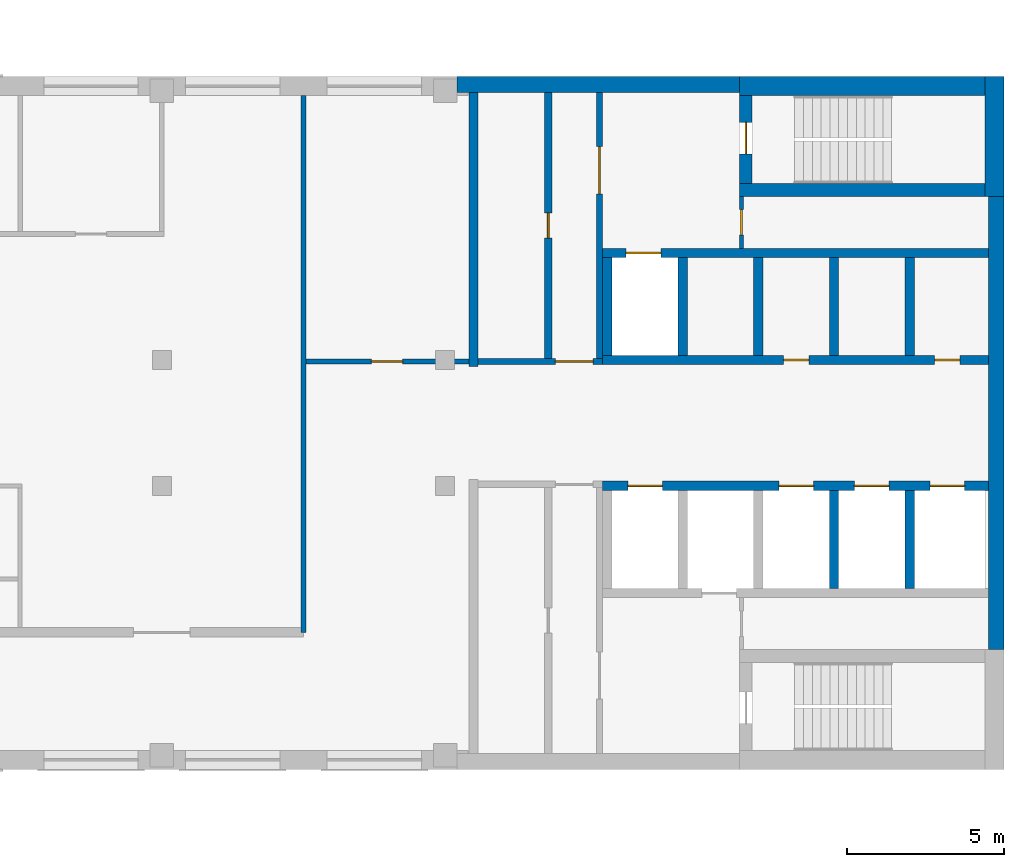
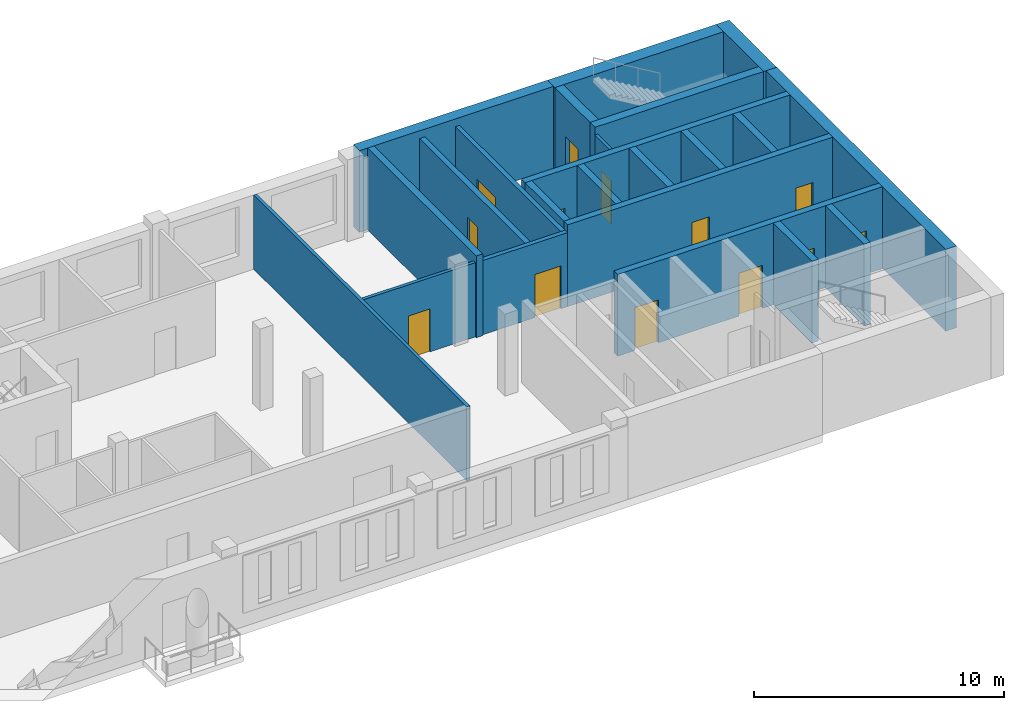
# One storey, part 6 of 10: 23 walls, 13 doors, 13 openings.
"""IFC4 building model written with IfcOpenShell, lengths in metres."""

from ifc_helpers import new_model, si_unit, direction, frame, frame_2d, origin, place, context, subcontext, project, spatial, rectangle, extrude, material, layer, layer_set, type_object, element, fill, save


model = new_model("IFC4")

# Units and contexts
model_context = context("Model", 3, precision=1e-05, world=origin(), true_north=direction((0.0, 1.0)))
body_context = subcontext(model_context, "Body", "Model", "MODEL_VIEW")
ifc_project = project(units=[si_unit("LENGTHUNIT", "METRE"), si_unit("AREAUNIT", "SQUARE_METRE"), si_unit("VOLUMEUNIT", "CUBIC_METRE"), si_unit("PLANEANGLEUNIT", "RADIAN"), si_unit("MASSUNIT", "GRAM", prefix="KILO")], contexts=[model_context])

# Site, building, storey
site_placement = place(None, origin())
site = spatial("IfcSite", under=ifc_project, at=site_placement, CompositionType="ELEMENT")
building_placement = place(site_placement, origin())
building = spatial("IfcBuilding", under=site, at=building_placement, Name="Skarvind Civic Tower", CompositionType="ELEMENT")
storey_placement = place(building_placement, frame((0.0, 0.0, 204.0)))
storey = spatial("IfcBuildingStorey", under=building, at=storey_placement, Name="L48", CompositionType="ELEMENT", Elevation=204.0)

# Wall, opening, door
ifc_material_1 = material(Name="Fire-rated masonry partition", Category="masonry")
ifc_layer_1 = layer(ifc_material_1, 0.199951171875)
ifc_layer_set_1 = layer_set([ifc_layer_1], Name="Core enclosure wall 200")
wall_type_1 = type_object("IfcWallType", Name="Core enclosure wall 200", PredefinedType="PARTITIONING", material=ifc_layer_set_1)
wall_1_placement = place(storey_placement, frame((91.300048828125, 129.949951171875, 0.0), z_axis=(0.0, 0.0, 1.0), x_axis=(1.0, 0.0, 0.0)))
wall_1 = element("IfcWall", 1, at=wall_1_placement, inside=storey, type_object=wall_type_1, Name="Core wall C1", PredefinedType="PARTITIONING", context=body_context, shape_type="SweptSolid", body=[
    extrude(rectangle(XDim=3.949951171875, YDim=0.199951171875, at=frame_2d((1.97509765625, 0.0))), origin(), (0.0, 0.0, 1.0), 3.625),
])
opening_1_placement = place(wall_1_placement, frame((2.449951171875, 0.0, 0.0)))
opening_1 = element("IfcOpeningElement", 2, at=opening_1_placement, cuts=wall_1, Name="Opening D-L48-C1-12", PredefinedType="OPENING", context=body_context, shape_type="SweptSolid", body=[
    extrude(rectangle(XDim=1.199951171875, YDim=2.10009765625, at=frame_2d((0.60009765625, 1.050048828125))), frame((0.0, 0.10986328125, 0.0), z_axis=(0.0, -1.0, 0.0), x_axis=(1.0, 0.0, 0.0)), (0.0, 0.0, 1.0), 0.219970703125),
])
ifc_material_2 = material(Name="Fire-rated steel door", Category="steel")
door_type_1 = type_object("IfcDoorType", Name="Core lobby door 1200", OperationType="NOTDEFINED", PredefinedType="DOOR", material=ifc_material_2)
door_1_placement = place(opening_1_placement, origin())
door_1 = element("IfcDoor", 3, at=door_1_placement, inside=storey, type_object=door_type_1, Name="Fire door", OperationType="DOUBLE_DOOR_SINGLE_SWING", OverallHeight=2.10009765625, OverallWidth=1.199951171875, PredefinedType="DOOR", context=body_context, shape_type="SweptSolid", body=[
    extrude(rectangle(XDim=1.199951171875, YDim=2.10009765625, at=frame_2d((0.60009765625, 1.050048828125))), frame((0.0, 0.02490234375, 0.0), z_axis=(0.0, -1.0, 0.0), x_axis=(1.0, 0.0, 0.0)), (0.0, 0.0, 1.0), 0.050048828125),
])
fill(opening_1, door_1)

wall_2_placement = place(storey_placement, frame((95.14990234375, 130.050048828125, 0.0), z_axis=(0.0, 0.0, 1.0), x_axis=(0.0, 1.0, 0.0)))
wall_2 = element("IfcWall", 4, at=wall_2_placement, inside=storey, type_object=wall_type_1, Name="Core wall C1", PredefinedType="PARTITIONING", context=body_context, shape_type="SweptSolid", body=[
    extrude(rectangle(XDim=8.449951171875, YDim=0.199951171875, at=frame_2d((4.22509765625, 0.0))), origin(), (0.0, 0.0, 1.0), 3.625),
])
opening_2_placement = place(wall_2_placement, frame((5.22509765625, 0.0, 0.0)))
opening_2 = element("IfcOpeningElement", 5, at=opening_2_placement, cuts=wall_2, Name="Opening D-L48-C1-13", PredefinedType="OPENING", context=body_context, shape_type="SweptSolid", body=[
    extrude(rectangle(XDim=1.5, YDim=2.10009765625, at=frame_2d((0.75, 1.050048828125))), frame((0.0, 0.10986328125, 0.0), z_axis=(0.0, -1.0, 0.0), x_axis=(1.0, 0.0, 0.0)), (0.0, 0.0, 1.0), 0.219970703125),
])
door_type_2 = type_object("IfcDoorType", Name="Fire door 1500", OperationType="NOTDEFINED", PredefinedType="DOOR", material=ifc_material_2)
door_2_placement = place(opening_2_placement, origin())
door_2 = element("IfcDoor", 6, at=door_2_placement, inside=storey, type_object=door_type_2, Name="Fire door", OperationType="DOUBLE_DOOR_SINGLE_SWING", OverallHeight=2.10009765625, OverallWidth=1.5, PredefinedType="DOOR", context=body_context, shape_type="SweptSolid", body=[
    extrude(rectangle(XDim=1.5, YDim=2.10009765625, at=frame_2d((0.75, 1.050048828125))), frame((0.0, 0.02490234375, 0.0), z_axis=(0.0, -1.0, 0.0), x_axis=(1.0, 0.0, 0.0)), (0.0, 0.0, 1.0), 0.050048828125),
])
fill(opening_2, door_2)

# Wall, openings, doors
ifc_material_3 = material(Name="Concrete C60", Category="concrete")
ifc_layer_2 = layer(ifc_material_3, 0.300048828125)
ifc_layer_set_2 = layer_set([ifc_layer_2], Name="Core wall 300 C60")
wall_type_2 = type_object("IfcWallType", Name="Core wall 300 C60", PredefinedType="SHEAR", material=ifc_layer_set_2)
wall_3_placement = place(storey_placement, frame((107.5, 130.0, 0.0), z_axis=(0.0, 0.0, 1.0), x_axis=(-1.0, 0.0, 0.0)))
wall_3 = element("IfcWall", 7, at=wall_3_placement, inside=storey, type_object=wall_type_2, Name="Core wall C1 south lift row front L48", PredefinedType="SHEAR", context=body_context, shape_type="SweptSolid", body=[
    extrude(rectangle(XDim=12.25, YDim=0.300048828125, at=frame_2d((6.125, 0.0))), origin(), (0.0, 0.0, 1.0), 4.0),
])
opening_3_placement = place(wall_3_placement, frame((0.89990234375, 0.0, 0.0)))
opening_3 = element("IfcOpeningElement", 8, at=opening_3_placement, cuts=wall_3, Name="Opening D-L48-C1-05", PredefinedType="OPENING", context=body_context, shape_type="SweptSolid", body=[
    extrude(rectangle(XDim=0.800048828125, YDim=2.10009765625, at=frame_2d((0.39990234375, 1.050048828125))), frame((0.0, 0.159912109375, 0.0), z_axis=(0.0, -1.0, 0.0), x_axis=(1.0, 0.0, 0.0)), (0.0, 0.0, 1.0), 0.320068359375),
])
opening_4_placement = place(wall_3_placement, frame((5.699951171875, 0.0, 0.0)))
opening_4 = element("IfcOpeningElement", 9, at=opening_4_placement, cuts=wall_3, Name="Opening D-L48-C1-06", PredefinedType="OPENING", context=body_context, shape_type="SweptSolid", body=[
    extrude(rectangle(XDim=0.800048828125, YDim=2.10009765625, at=frame_2d((0.39990234375, 1.050048828125))), frame((0.0, 0.159912109375, 0.0), z_axis=(0.0, -1.0, 0.0), x_axis=(1.0, 0.0, 0.0)), (0.0, 0.0, 1.0), 0.320068359375),
])
door_type_3 = type_object("IfcDoorType", Name="Core riser door 800", OperationType="NOTDEFINED", PredefinedType="DOOR", material=ifc_material_2)
door_3_placement = place(opening_3_placement, origin())
door_3 = element("IfcDoor", 10, at=door_3_placement, inside=storey, type_object=door_type_3, Name="Riser door", OperationType="SINGLE_SWING_LEFT", OverallHeight=2.10009765625, OverallWidth=0.800048828125, PredefinedType="DOOR", context=body_context, shape_type="SweptSolid", body=[
    extrude(rectangle(XDim=0.800048828125, YDim=2.10009765625, at=frame_2d((0.39990234375, 1.050048828125))), frame((0.0, 0.02490234375, 0.0), z_axis=(0.0, -1.0, 0.0), x_axis=(1.0, 0.0, 0.0)), (0.0, 0.0, 1.0), 0.050048828125),
])
fill(opening_3, door_3)
door_4_placement = place(opening_4_placement, origin())
door_4 = element("IfcDoor", 11, at=door_4_placement, inside=storey, type_object=door_type_3, Name="Riser door", OperationType="SINGLE_SWING_RIGHT", OverallHeight=2.10009765625, OverallWidth=0.800048828125, PredefinedType="DOOR", context=body_context, shape_type="SweptSolid", body=[
    extrude(rectangle(XDim=0.800048828125, YDim=2.10009765625, at=frame_2d((0.39990234375, 1.050048828125))), frame((0.0, 0.02490234375, 0.0), z_axis=(0.0, -1.0, 0.0), x_axis=(1.0, 0.0, 0.0)), (0.0, 0.0, 1.0), 0.050048828125),
])
fill(opening_4, door_4)

# Wall, opening, door
wall_4_placement = place(storey_placement, frame((107.5, 133.39990234375, 0.0), z_axis=(0.0, 0.0, 1.0), x_axis=(-1.0, 0.0, 0.0)))
wall_4 = element("IfcWall", 12, at=wall_4_placement, inside=storey, type_object=wall_type_2, Name="Core wall C1 south lift row back L48", PredefinedType="SHEAR", context=body_context, shape_type="SweptSolid", body=[
    extrude(rectangle(XDim=12.25, YDim=0.300048828125, at=frame_2d((6.125, 0.0))), origin(), (0.0, 0.0, 1.0), 4.0),
])
opening_5_placement = place(wall_4_placement, frame((10.39990234375, 0.0, 0.0)))
opening_5 = element("IfcOpeningElement", 13, at=opening_5_placement, cuts=wall_4, Name="Opening LD50110", PredefinedType="OPENING", context=body_context, shape_type="SweptSolid", body=[
    extrude(rectangle(XDim=1.10009765625, YDim=2.10009765625, at=frame_2d((0.550048828125, 1.050048828125))), frame((0.0, 0.159912109375, 0.0), z_axis=(0.0, -1.0, 0.0), x_axis=(1.0, 0.0, 0.0)), (0.0, 0.0, 1.0), 0.320068359375),
])
ifc_material_4 = material(Name="Stainless steel landing door", Category="steel")
door_type_4 = type_object("IfcDoorType", Name="Lift landing door 1100", OperationType="DOUBLE_DOOR_SLIDING", PredefinedType="DOOR", material=ifc_material_4)
door_5_placement = place(opening_5_placement, origin())
door_5 = element("IfcDoor", 14, at=door_5_placement, inside=storey, type_object=door_type_4, Name="Lift landing door", OperationType="DOUBLE_DOOR_SLIDING", OverallHeight=2.10009765625, OverallWidth=1.10009765625, PredefinedType="DOOR", context=body_context, shape_type="SweptSolid", body=[
    extrude(rectangle(XDim=1.10009765625, YDim=2.10009765625, at=frame_2d((0.550048828125, 1.050048828125))), frame((0.0, 0.02490234375, 0.0), z_axis=(0.0, -1.0, 0.0), x_axis=(1.0, 0.0, 0.0)), (0.0, 0.0, 1.0), 0.050048828125),
])
fill(opening_5, door_5)

# Walls
for number, where, z_axis, x_axis, name in (
    (15, (105.0, 133.25, 0.0), (0.0, 0.0, 1.0), (0.0, -1.0, 0.0), "Core wall C1 south lift row division 1 L48"),
    (16, (102.60009765625, 133.25, 0.0), (0.0, 0.0, 1.0), (0.0, -1.0, 0.0), "Core wall C1 south lift row division 2 L48"),
    (17, (100.199951171875, 133.25, 0.0), (0.0, 0.0, 1.0), (0.0, -1.0, 0.0), "Core wall C1 south lift row division 3 L48"),
    (18, (97.800048828125, 133.25, 0.0), (0.0, 0.0, 1.0), (0.0, -1.0, 0.0), "Core wall C1 south lift row division 4 L48"),
    (19, (95.39990234375, 133.25, 0.0), (0.0, 0.0, 1.0), (0.0, -1.0, 0.0), "Core wall C1 south lift row division 5 L48"),
):
    element("IfcWall", number, at=place(storey_placement, frame(where, z_axis=z_axis, x_axis=x_axis)), inside=storey, type_object=wall_type_2, Name=name, PredefinedType="SHEAR", context=body_context, shape_type="SweptSolid", body=[
        extrude(rectangle(XDim=3.10009765625, YDim=0.300048828125, at=frame_2d((1.550048828125, 0.0))), origin(), (0.0, 0.0, 1.0), 4.0),
    ])

# Wall, openings, doors
wall_5_placement = place(storey_placement, frame((107.5, 126.0, 0.0), z_axis=(0.0, 0.0, 1.0), x_axis=(-1.0, 0.0, 0.0)))
wall_5 = element("IfcWall", 20, at=wall_5_placement, inside=storey, type_object=wall_type_2, Name="Core wall C1 north lift row front L48", PredefinedType="SHEAR", context=body_context, shape_type="SweptSolid", body=[
    extrude(rectangle(XDim=12.25, YDim=0.300048828125, at=frame_2d((6.125, 0.0))), origin(), (0.0, 0.0, 1.0), 4.0),
])
opening_6_placement = place(wall_5_placement, frame((0.75, 0.0, 0.0)))
opening_6 = element("IfcOpeningElement", 21, at=opening_6_placement, cuts=wall_5, Name="Opening LD50101", PredefinedType="OPENING", context=body_context, shape_type="SweptSolid", body=[
    extrude(rectangle(XDim=1.10009765625, YDim=2.10009765625, at=frame_2d((0.550048828125, 1.050048828125))), frame((0.0, 0.159912109375, 0.0), z_axis=(0.0, -1.0, 0.0), x_axis=(1.0, 0.0, 0.0)), (0.0, 0.0, 1.0), 0.320068359375),
])
opening_7_placement = place(wall_5_placement, frame((3.14990234375, 0.0, 0.0)))
opening_7 = element("IfcOpeningElement", 22, at=opening_7_placement, cuts=wall_5, Name="Opening LD50102", PredefinedType="OPENING", context=body_context, shape_type="SweptSolid", body=[
    extrude(rectangle(XDim=1.10009765625, YDim=2.10009765625, at=frame_2d((0.550048828125, 1.050048828125))), frame((0.0, 0.159912109375, 0.0), z_axis=(0.0, -1.0, 0.0), x_axis=(1.0, 0.0, 0.0)), (0.0, 0.0, 1.0), 0.320068359375),
])
opening_8_placement = place(wall_5_placement, frame((5.550048828125, 0.0, 0.0)))
opening_8 = element("IfcOpeningElement", 23, at=opening_8_placement, cuts=wall_5, Name="Opening LD50103", PredefinedType="OPENING", context=body_context, shape_type="SweptSolid", body=[
    extrude(rectangle(XDim=1.10009765625, YDim=2.10009765625, at=frame_2d((0.550048828125, 1.050048828125))), frame((0.0, 0.159912109375, 0.0), z_axis=(0.0, -1.0, 0.0), x_axis=(1.0, 0.0, 0.0)), (0.0, 0.0, 1.0), 0.320068359375),
])
opening_9_placement = place(wall_5_placement, frame((10.35009765625, 0.0, 0.0)))
opening_9 = element("IfcOpeningElement", 24, at=opening_9_placement, cuts=wall_5, Name="Opening LD50105", PredefinedType="OPENING", context=body_context, shape_type="SweptSolid", body=[
    extrude(rectangle(XDim=1.10009765625, YDim=2.10009765625, at=frame_2d((0.550048828125, 1.050048828125))), frame((0.0, 0.159912109375, 0.0), z_axis=(0.0, -1.0, 0.0), x_axis=(1.0, 0.0, 0.0)), (0.0, 0.0, 1.0), 0.320068359375),
])
door_6_placement = place(opening_6_placement, origin())
door_6 = element("IfcDoor", 25, at=door_6_placement, inside=storey, type_object=door_type_4, Name="Lift landing door", OperationType="DOUBLE_DOOR_SLIDING", OverallHeight=2.10009765625, OverallWidth=1.10009765625, PredefinedType="DOOR", context=body_context, shape_type="SweptSolid", body=[
    extrude(rectangle(XDim=1.10009765625, YDim=2.10009765625, at=frame_2d((0.550048828125, 1.050048828125))), frame((0.0, 0.02490234375, 0.0), z_axis=(0.0, -1.0, 0.0), x_axis=(1.0, 0.0, 0.0)), (0.0, 0.0, 1.0), 0.050048828125),
])
fill(opening_6, door_6)
door_7_placement = place(opening_7_placement, origin())
door_7 = element("IfcDoor", 26, at=door_7_placement, inside=storey, type_object=door_type_4, Name="Lift landing door", OperationType="DOUBLE_DOOR_SLIDING", OverallHeight=2.10009765625, OverallWidth=1.10009765625, PredefinedType="DOOR", context=body_context, shape_type="SweptSolid", body=[
    extrude(rectangle(XDim=1.10009765625, YDim=2.10009765625, at=frame_2d((0.550048828125, 1.050048828125))), frame((0.0, 0.02490234375, 0.0), z_axis=(0.0, -1.0, 0.0), x_axis=(1.0, 0.0, 0.0)), (0.0, 0.0, 1.0), 0.050048828125),
])
fill(opening_7, door_7)
door_8_placement = place(opening_8_placement, origin())
door_8 = element("IfcDoor", 27, at=door_8_placement, inside=storey, type_object=door_type_4, Name="Lift landing door", OperationType="DOUBLE_DOOR_SLIDING", OverallHeight=2.10009765625, OverallWidth=1.10009765625, PredefinedType="DOOR", context=body_context, shape_type="SweptSolid", body=[
    extrude(rectangle(XDim=1.10009765625, YDim=2.10009765625, at=frame_2d((0.550048828125, 1.050048828125))), frame((0.0, 0.02490234375, 0.0), z_axis=(0.0, -1.0, 0.0), x_axis=(1.0, 0.0, 0.0)), (0.0, 0.0, 1.0), 0.050048828125),
])
fill(opening_8, door_8)
door_9_placement = place(opening_9_placement, origin())
door_9 = element("IfcDoor", 28, at=door_9_placement, inside=storey, type_object=door_type_4, Name="Lift landing door", OperationType="DOUBLE_DOOR_SLIDING", OverallHeight=2.10009765625, OverallWidth=1.10009765625, PredefinedType="DOOR", context=body_context, shape_type="SweptSolid", body=[
    extrude(rectangle(XDim=1.10009765625, YDim=2.10009765625, at=frame_2d((0.550048828125, 1.050048828125))), frame((0.0, 0.02490234375, 0.0), z_axis=(0.0, -1.0, 0.0), x_axis=(1.0, 0.0, 0.0)), (0.0, 0.0, 1.0), 0.050048828125),
])
fill(opening_9, door_9)

# Walls
for number, where, z_axis, x_axis, name in (
    (29, (105.0, 125.85009765625, 0.0), (0.0, 0.0, 1.0), (0.0, -1.0, 0.0), "Core wall C1 north lift row division 1 L48"),
    (30, (102.60009765625, 125.85009765625, 0.0), (0.0, 0.0, 1.0), (0.0, -1.0, 0.0), "Core wall C1 north lift row division 2 L48"),
):
    element("IfcWall", number, at=place(storey_placement, frame(where, z_axis=z_axis, x_axis=x_axis)), inside=storey, type_object=wall_type_2, Name=name, PredefinedType="SHEAR", context=body_context, shape_type="SweptSolid", body=[
        extrude(rectangle(XDim=3.10009765625, YDim=0.300048828125, at=frame_2d((1.550048828125, 0.0))), origin(), (0.0, 0.0, 1.0), 4.0),
    ])
wall_6_placement = place(storey_placement, frame((91.14990234375, 138.5, 0.0), z_axis=(0.0, 0.0, 1.0), x_axis=(0.0, -1.0, 0.0)))
element("IfcWall", 31, at=wall_6_placement, inside=storey, type_object=wall_type_2, Name="Core wall C1 south inner face L48", PredefinedType="SHEAR", context=body_context, shape_type="SweptSolid", body=[
    extrude(rectangle(XDim=8.699951171875, YDim=0.300048828125, at=frame_2d((4.35009765625, 0.0))), origin(), (0.0, 0.0, 1.0), 4.0),
])
ifc_layer_3 = layer(ifc_material_3, 0.39990234375)
ifc_layer_set_3 = layer_set([ifc_layer_3], Name="Core wall 400 C60")
wall_type_3 = type_object("IfcWallType", Name="Core wall 400 C60", PredefinedType="SHEAR", material=ifc_layer_set_3)
wall_7_placement = place(storey_placement, frame((107.39990234375, 135.39990234375, 0.0), z_axis=(0.0, 0.0, 1.0), x_axis=(-1.0, 0.0, 0.0)))
element("IfcWall", 32, at=wall_7_placement, inside=storey, type_object=wall_type_3, Name="Core wall C1 south stair inner L48", PredefinedType="SHEAR", context=body_context, shape_type="SweptSolid", body=[
    extrude(rectangle(XDim=7.7998046875, YDim=0.39990234375, at=frame_2d((3.89990234375, 0.0))), origin(), (0.0, 0.0, 1.0), 4.0),
])

# Wall, opening, door
wall_8_placement = place(storey_placement, frame((99.800048828125, 138.39990234375, 0.0), z_axis=(0.0, 0.0, 1.0), x_axis=(0.0, -1.0, 0.0)))
wall_8 = element("IfcWall", 33, at=wall_8_placement, inside=storey, type_object=wall_type_3, Name="Core wall C1 south stair end L48", PredefinedType="SHEAR", context=body_context, shape_type="SweptSolid", body=[
    extrude(rectangle(XDim=2.7998046875, YDim=0.39990234375, at=frame_2d((1.39990234375, 0.0))), origin(), (0.0, 0.0, 1.0), 4.0),
])
opening_10_placement = place(wall_8_placement, frame((0.85009765625, 0.0, 0.0)))
opening_10 = element("IfcOpeningElement", 34, at=opening_10_placement, cuts=wall_8, Name="Opening D-L48-C1-14", PredefinedType="OPENING", context=body_context, shape_type="SweptSolid", body=[
    extrude(rectangle(XDim=1.0, YDim=2.10009765625, at=frame_2d((0.5, 1.050048828125))), frame((0.0, 0.2099609375, 0.0), z_axis=(0.0, -1.0, 0.0), x_axis=(1.0, 0.0, 0.0)), (0.0, 0.0, 1.0), 0.419921875),
])
door_type_5 = type_object("IfcDoorType", Name="Fire door 1000", OperationType="NOTDEFINED", PredefinedType="DOOR", material=ifc_material_2)
door_10_placement = place(opening_10_placement, origin())
door_10 = element("IfcDoor", 35, at=door_10_placement, inside=storey, type_object=door_type_5, Name="Fire door", OperationType="SINGLE_SWING_RIGHT", OverallHeight=2.10009765625, OverallWidth=1.0, PredefinedType="DOOR", context=body_context, shape_type="SweptSolid", body=[
    extrude(rectangle(XDim=1.0, YDim=2.10009765625, at=frame_2d((0.5, 1.050048828125))), frame((0.0, 0.02490234375, 0.0), z_axis=(0.0, -1.0, 0.0), x_axis=(1.0, 0.0, 0.0)), (0.0, 0.0, 1.0), 0.050048828125),
])
fill(opening_10, door_10)

# Walls
ifc_layer_4 = layer(ifc_material_3, 0.5)
ifc_layer_set_4 = layer_set([ifc_layer_4], Name="Core wall 500 C60")
wall_type_4 = type_object("IfcWallType", Name="Core wall 500 C60", PredefinedType="SHEAR", material=ifc_layer_set_4)
wall_9_placement = place(storey_placement, frame((107.75, 135.199951171875, 0.0), z_axis=(0.0, 0.0, 1.0), x_axis=(0.0, -1.0, 0.0)))
element("IfcWall", 36, at=wall_9_placement, inside=storey, type_object=wall_type_4, Name="Core wall C1 tip between the stairs L48", PredefinedType="SHEAR", context=body_context, shape_type="SweptSolid", body=[
    extrude(rectangle(XDim=14.39990234375, YDim=0.5, at=frame_2d((7.199951171875, 0.0))), origin(), (0.0, 0.0, 1.0), 4.0),
])
wall_10_placement = place(storey_placement, frame((99.60009765625, 138.75, 0.0), z_axis=(0.0, 0.0, 1.0), x_axis=(-1.0, 0.0, 0.0)))
element("IfcWall", 37, at=wall_10_placement, inside=storey, type_object=wall_type_4, Name="Core wall C1 south side L48", PredefinedType="SHEAR", context=body_context, shape_type="SweptSolid", body=[
    extrude(rectangle(XDim=8.97509765625, YDim=0.5, at=frame_2d((4.487548828125, 0.0))), origin(), (0.0, 0.0, 1.0), 4.0),
])
ifc_layer_5 = layer(ifc_material_3, 0.60009765625)
ifc_layer_set_5 = layer_set([ifc_layer_5], Name="Core wall 600 C60")
wall_type_5 = type_object("IfcWallType", Name="Core wall 600 C60", PredefinedType="SHEAR", material=ifc_layer_set_5)
wall_11_placement = place(storey_placement, frame((107.699951171875, 139.0, 0.0), z_axis=(0.0, 0.0, 1.0), x_axis=(0.0, -1.0, 0.0)))
element("IfcWall", 38, at=wall_11_placement, inside=storey, type_object=wall_type_5, Name="Core wall C1 tip at the south stair L48", PredefinedType="SHEAR", context=body_context, shape_type="SweptSolid", body=[
    extrude(rectangle(XDim=3.800048828125, YDim=0.60009765625, at=frame_2d((1.89990234375, 0.0))), origin(), (0.0, 0.0, 1.0), 4.0),
])
wall_12_placement = place(storey_placement, frame((107.39990234375, 138.699951171875, 0.0), z_axis=(0.0, 0.0, 1.0), x_axis=(-1.0, 0.0, 0.0)))
element("IfcWall", 39, at=wall_12_placement, inside=storey, type_object=wall_type_5, Name="Core wall C1 south side at the stair L48", PredefinedType="SHEAR", context=body_context, shape_type="SweptSolid", body=[
    extrude(rectangle(XDim=7.7998046875, YDim=0.60009765625, at=frame_2d((3.89990234375, 0.0))), origin(), (0.0, 0.0, 1.0), 4.0),
])
ifc_material_5 = material(Name="Plasterboard partition on steel studs", Category="steel")
ifc_layer_6 = layer(ifc_material_5, 0.14990234375)
ifc_layer_set_6 = layer_set([ifc_layer_6], Name="PARTITION 150")
wall_type_6 = type_object("IfcWallType", Name="PARTITION 150", PredefinedType="PARTITIONING", material=ifc_layer_set_6)
wall_13_placement = place(storey_placement, frame((85.75, 121.35009765625, 0.0), z_axis=(0.0, 0.0, 1.0), x_axis=(0.0, 1.0, 0.0)))
element("IfcWall", 40, at=wall_13_placement, inside=storey, type_object=wall_type_6, Name="Partition 48.037", PredefinedType="PARTITIONING", context=body_context, shape_type="SweptSolid", body=[
    extrude(rectangle(XDim=17.0498046875, YDim=0.14990234375, at=frame_2d((8.52490234375, 0.0))), origin(), (0.0, 0.0, 1.0), 3.625),
])

# Wall, opening, door
wall_14_placement = place(storey_placement, frame((85.824951171875, 129.949951171875, 0.0), z_axis=(0.0, 0.0, 1.0), x_axis=(1.0, 0.0, 0.0)))
wall_14 = element("IfcWall", 41, at=wall_14_placement, inside=storey, type_object=wall_type_6, Name="Partition 48.038", PredefinedType="PARTITIONING", context=body_context, shape_type="SweptSolid", body=[
    extrude(rectangle(XDim=5.175048828125, YDim=0.14990234375, at=frame_2d((2.58740234375, 0.0))), origin(), (0.0, 0.0, 1.0), 3.625),
])
opening_11_placement = place(wall_14_placement, frame((2.077392578125, 0.0, 0.0)))
opening_11 = element("IfcOpeningElement", 42, at=opening_11_placement, cuts=wall_14, Name="Opening L48-D001", PredefinedType="OPENING", context=body_context, shape_type="SweptSolid", body=[
    extrude(rectangle(XDim=1.0, YDim=2.10009765625, at=frame_2d((0.5, 1.050048828125))), frame((0.0, 0.0849609375, 0.0), z_axis=(0.0, -1.0, 0.0), x_axis=(1.0, 0.0, 0.0)), (0.0, 0.0, 1.0), 0.169921875),
])
ifc_material_6 = material(Name="Timber door leaf", Category="wood")
door_type_6 = type_object("IfcDoorType", Name="D1 1000x2100", OperationType="NOTDEFINED", PredefinedType="DOOR", material=ifc_material_6)
door_11_placement = place(opening_11_placement, origin())
door_11 = element("IfcDoor", 43, at=door_11_placement, inside=storey, type_object=door_type_6, Name="Door L48-D001", OperationType="SINGLE_SWING_LEFT", OverallHeight=2.10009765625, OverallWidth=1.0, PredefinedType="DOOR", context=body_context, shape_type="SweptSolid", body=[
    extrude(rectangle(XDim=1.0, YDim=2.10009765625, at=frame_2d((0.5, 1.050048828125))), frame((0.0, 0.02490234375, 0.0), z_axis=(0.0, -1.0, 0.0), x_axis=(1.0, 0.0, 0.0)), (0.0, 0.0, 1.0), 0.050048828125),
])
fill(opening_11, door_11)

ifc_layer_7 = layer(ifc_material_1, 0.125)
ifc_layer_set_7 = layer_set([ifc_layer_7], Name="Riser wall 125")
wall_type_7 = type_object("IfcWallType", Name="Riser wall 125", PredefinedType="PARTITIONING", material=ifc_layer_set_7)
wall_15_placement = place(storey_placement, frame((99.66259765625, 133.550048828125, 0.0), z_axis=(0.0, 0.0, 1.0), x_axis=(0.0, 1.0, 0.0)))
wall_15 = element("IfcWall", 44, at=wall_15_placement, inside=storey, type_object=wall_type_7, Name="Core wall C1", PredefinedType="PARTITIONING", context=body_context, shape_type="SweptSolid", body=[
    extrude(rectangle(XDim=1.64990234375, YDim=0.125, at=frame_2d((0.824951171875, 0.0))), origin(), (0.0, 0.0, 1.0), 3.625),
])
opening_12_placement = place(wall_15_placement, frame((0.425048828125, 0.0, 0.0)))
opening_12 = element("IfcOpeningElement", 45, at=opening_12_placement, cuts=wall_15, Name="Opening D-L48-C1-15", PredefinedType="OPENING", context=body_context, shape_type="SweptSolid", body=[
    extrude(rectangle(XDim=0.800048828125, YDim=2.10009765625, at=frame_2d((0.39990234375, 1.050048828125))), frame((0.0, 0.072509765625, 0.0), z_axis=(0.0, -1.0, 0.0), x_axis=(1.0, 0.0, 0.0)), (0.0, 0.0, 1.0), 0.14501953125),
])
door_12_placement = place(opening_12_placement, origin())
door_12 = element("IfcDoor", 46, at=door_12_placement, inside=storey, type_object=door_type_3, Name="Riser door", OperationType="SINGLE_SWING_LEFT", OverallHeight=2.10009765625, OverallWidth=0.800048828125, PredefinedType="DOOR", context=body_context, shape_type="SweptSolid", body=[
    extrude(rectangle(XDim=0.800048828125, YDim=2.10009765625, at=frame_2d((0.39990234375, 1.050048828125))), frame((0.0, 0.02490234375, 0.0), z_axis=(0.0, -1.0, 0.0), x_axis=(1.0, 0.0, 0.0)), (0.0, 0.0, 1.0), 0.050048828125),
])
fill(opening_12, door_12)

ifc_layer_8 = layer(ifc_material_1, 0.25)
ifc_layer_set_8 = layer_set([ifc_layer_8], Name="Service block wall 250")
wall_type_8 = type_object("IfcWallType", Name="Service block wall 250", PredefinedType="PARTITIONING", material=ifc_layer_set_8)
wall_16_placement = place(storey_placement, frame((93.52490234375, 130.050048828125, 0.0), z_axis=(0.0, 0.0, 1.0), x_axis=(0.0, 1.0, 0.0)))
wall_16 = element("IfcWall", 47, at=wall_16_placement, inside=storey, type_object=wall_type_8, Name="Core wall C1", PredefinedType="PARTITIONING", context=body_context, shape_type="SweptSolid", body=[
    extrude(rectangle(XDim=8.449951171875, YDim=0.25, at=frame_2d((4.22509765625, 0.0))), origin(), (0.0, 0.0, 1.0), 3.625),
])
opening_13_placement = place(wall_16_placement, frame((3.824951171875, 0.0, 0.0)))
opening_13 = element("IfcOpeningElement", 48, at=opening_13_placement, cuts=wall_16, Name="Opening D-L48-C1-16", PredefinedType="OPENING", context=body_context, shape_type="SweptSolid", body=[
    extrude(rectangle(XDim=0.800048828125, YDim=2.10009765625, at=frame_2d((0.39990234375, 1.050048828125))), frame((0.0, 0.135009765625, 0.0), z_axis=(0.0, -1.0, 0.0), x_axis=(1.0, 0.0, 0.0)), (0.0, 0.0, 1.0), 0.27001953125),
])
door_13_placement = place(opening_13_placement, origin())
door_13 = element("IfcDoor", 49, at=door_13_placement, inside=storey, type_object=door_type_3, Name="Riser door", OperationType="SINGLE_SWING_RIGHT", OverallHeight=2.10009765625, OverallWidth=0.800048828125, PredefinedType="DOOR", context=body_context, shape_type="SweptSolid", body=[
    extrude(rectangle(XDim=0.800048828125, YDim=2.10009765625, at=frame_2d((0.39990234375, 1.050048828125))), frame((0.0, 0.02490234375, 0.0), z_axis=(0.0, -1.0, 0.0), x_axis=(1.0, 0.0, 0.0)), (0.0, 0.0, 1.0), 0.050048828125),
])
fill(opening_13, door_13)

save(model, "model.ifc")
